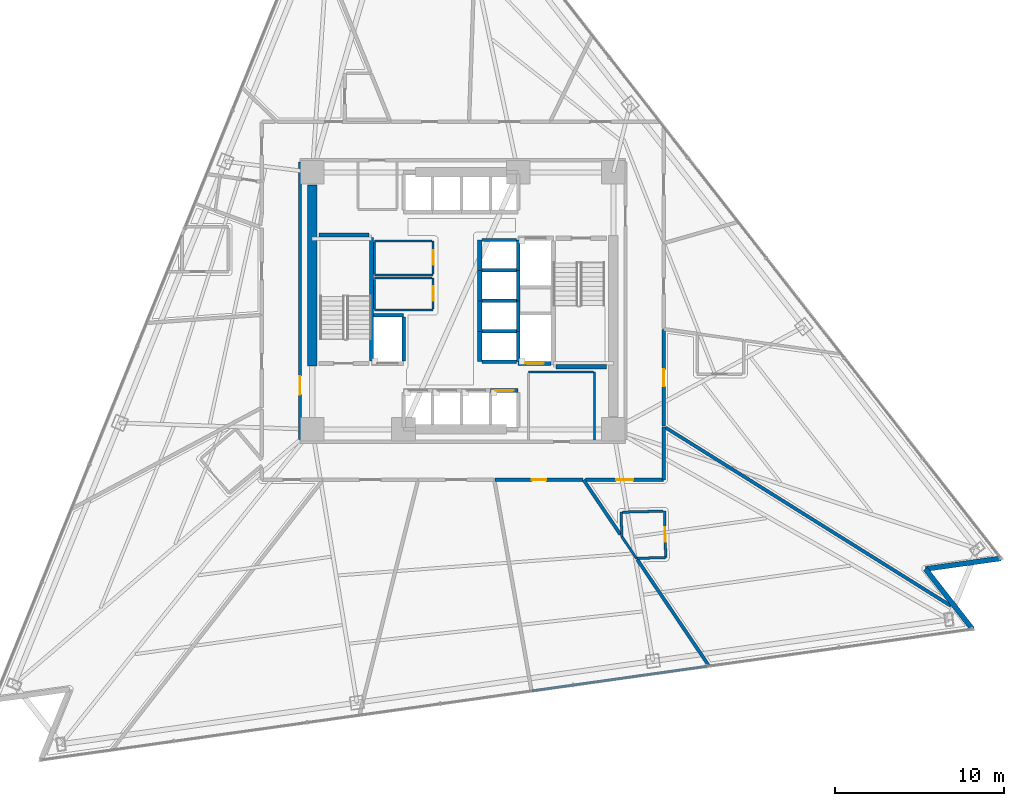
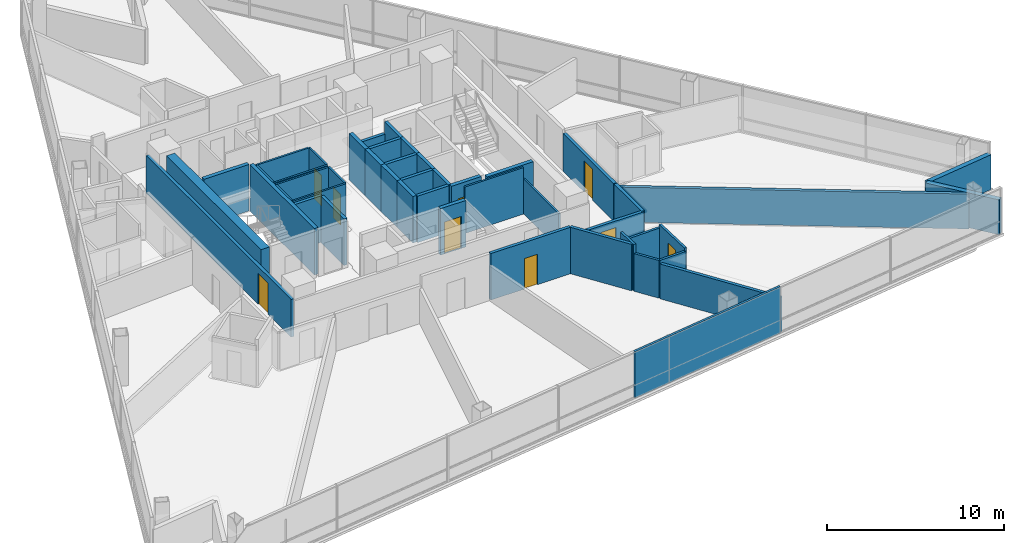
# One storey, part 8 of 15: 47 walls, 9 doors, 9 openings.
"""IFC4 building model written with IfcOpenShell, lengths in metres."""

import ifcopenshell
import ifcopenshell.guid

model = None  # the IFC model being written
_history = None  # IfcOwnerHistory: only IFC2X3 demands one
_inside = {}  # id of a spatial element -> (the spatial element, [elements in it])
_under = {}  # id of a project, library or spatial element -> (it, [spatial elements below it])
_declared = {}  # id of a project -> (the project, [libraries it declares])
_typed = {}  # id of a type object -> (the type object, [elements of that type])
_made_of = {}  # id of a material, layer set ... -> (it, [elements and type objects made of it])


def new_model(schema):
    """Start an empty IFC model of exactly this schema.

    Asked for "IFC4X3", IfcOpenShell would pick the latest addendum, in which some entities
    have other attributes; the version numbers below select the first issue.
    IFC2X3 requires an IfcOwnerHistory on every rooted entity: one is made here for all.
    """
    global model, _history
    if schema == "IFC4X3":
        model = ifcopenshell.file(schema_version=(4, 3, 0, 0))
    else:
        model = ifcopenshell.file(schema=schema)
    _inside.clear()
    _under.clear()
    _declared.clear()
    _typed.clear()
    _made_of.clear()
    _history = None
    if model.schema == "IFC2X3":
        org = make("IfcOrganization", Name="unknown")
        user = make(
            "IfcPersonAndOrganization",
            ThePerson=make("IfcPerson", FamilyName="unknown"),
            TheOrganization=org,
        )
        app = make(
            "IfcApplication",
            ApplicationDeveloper=org,
            Version="unknown",
            ApplicationFullName="unknown",
            ApplicationIdentifier="unknown",
        )
        _history = make(
            "IfcOwnerHistory",
            OwningUser=user,
            OwningApplication=app,
            ChangeAction="ADDED",
            CreationDate=0,
        )
    return model


def make(cls, **values):
    """One entity of the class cls with the attributes given. An attribute that is None is left unset."""
    return model.create_entity(
        cls, **{name: value for name, value in values.items() if value is not None}
    )


def rooted(cls, **values):
    """An entity with a GlobalId (a new one), such as an element, a storey or a relation."""
    return make(cls, GlobalId=ifcopenshell.guid.new(), OwnerHistory=_history, **values)


def si_unit(unit_type, name, prefix=None):
    """IfcSIUnit, for example si_unit("LENGTHUNIT", "METRE", prefix="MILLI")."""
    return make("IfcSIUnit", UnitType=unit_type, Prefix=prefix, Name=name)


def assignment(units):
    """IfcUnitAssignment: the units of a project."""
    return None if units is None else make("IfcUnitAssignment", Units=units)


def point(xyz):
    """IfcCartesianPoint."""
    return None if xyz is None else make("IfcCartesianPoint", Coordinates=xyz)


def direction(xyz):
    """IfcDirection."""
    return None if xyz is None else make("IfcDirection", DirectionRatios=xyz)


def frame(location, z_axis=None, x_axis=None):
    """IfcAxis2Placement3D, a coordinate frame: its origin and axes. An axis left out is left unset."""
    return make(
        "IfcAxis2Placement3D",
        Location=point(location),
        Axis=direction(z_axis),
        RefDirection=direction(x_axis),
    )


def frame_2d(location, x_axis=None):
    """IfcAxis2Placement2D, a coordinate frame in the plane: its origin and x axis."""
    return make(
        "IfcAxis2Placement2D", Location=point(location), RefDirection=direction(x_axis)
    )


def origin():
    """The frame at (0, 0, 0) with its axes left unset."""
    return frame((0.0, 0.0, 0.0))


def place(relative_to, where):
    """IfcLocalPlacement: puts the frame where relative to a parent placement (None: the world)."""
    return make(
        "IfcLocalPlacement", PlacementRelTo=relative_to, RelativePlacement=where
    )


def context(
    kind, dimensions, precision=None, world=None, true_north=None, identifier=None
):
    """IfcGeometricRepresentationContext, for example the 3D "Model" context."""
    return make(
        "IfcGeometricRepresentationContext",
        ContextIdentifier=identifier,
        ContextType=kind,
        CoordinateSpaceDimension=dimensions,
        Precision=precision,
        WorldCoordinateSystem=world,
        TrueNorth=true_north,
    )


def subcontext(parent, identifier, kind, view, scale=None):
    """IfcGeometricRepresentationSubContext, for example "Body" below "Model"."""
    return make(
        "IfcGeometricRepresentationSubContext",
        ContextIdentifier=identifier,
        ContextType=kind,
        ParentContext=parent,
        TargetScale=scale,
        TargetView=view,
    )


def project(units=None, contexts=None):
    """IfcProject with its units and contexts."""
    return rooted(
        "IfcProject",
        Name="project",
        RepresentationContexts=contexts,
        UnitsInContext=assignment(units),
    )


def spatial(cls, under=None, at=None, **own):
    """A site, building, storey or space (cls), placed at a placement, below another one or the project."""
    s = rooted(cls, ObjectPlacement=at, **own)
    if under is not None:
        _under.setdefault(under.id(), (under, []))[1].append(s)
    return s


def profile(cls, at=None, kind="AREA", **sizes):
    """A parametric profile (cls). Its sizes go by their IFC names, for example OverallWidth=200.0."""
    return make(cls, ProfileType=kind, Position=at, **sizes)


def rectangle(**sizes):
    """IfcRectangleProfileDef."""
    return profile("IfcRectangleProfileDef", **sizes)


def extrude(swept, where, along, depth):
    """IfcExtrudedAreaSolid: the profile swept, set in the frame where, extruded along a direction by depth."""
    return make(
        "IfcExtrudedAreaSolid",
        SweptArea=swept,
        Position=where,
        ExtrudedDirection=direction(along),
        Depth=depth,
    )


def shape(context_of_items, identifier, shape_type, items):
    """IfcShapeRepresentation: the items that make up one representation, for example the "Body"."""
    return make(
        "IfcShapeRepresentation",
        ContextOfItems=context_of_items,
        RepresentationIdentifier=identifier,
        RepresentationType=shape_type,
        Items=items,
    )


def material(Name=None, Category=None):
    """IfcMaterial."""
    return make("IfcMaterial", Name=Name, Category=Category)


def layer(
    of_material, thickness, ventilated=None, Name=None, Category=None, Priority=None
):
    """IfcMaterialLayer: one layer of a wall or slab, of a material (None: an air gap)."""
    return make(
        "IfcMaterialLayer",
        Material=of_material,
        LayerThickness=thickness,
        IsVentilated=ventilated,
        Name=Name,
        Category=Category,
        Priority=Priority,
    )


def layer_set(layers, Name=None):
    """IfcMaterialLayerSet."""
    return make("IfcMaterialLayerSet", MaterialLayers=layers, LayerSetName=Name)


def made_of(thing, what):
    """Note that an element or type object is made of a material, layer set ...; save() writes the relation."""
    if what is not None:
        _made_of.setdefault(what.id(), (what, []))[1].append(thing)
    return thing


def type_object(cls, material=None, **own):
    """A type object (cls), such as IfcWallType, which elements share."""
    return made_of(rooted(cls, **own), material)


def element(
    cls,
    number,
    at=None,
    inside=None,
    cuts=None,
    type_object=None,
    material=None,
    context=None,
    identifier="Body",
    shape_type=None,
    held_by="IfcProductDefinitionShape",
    body=None,
    shapes=None,
    **own,
):
    """One element of the class cls, such as IfcWall. Its Tag is "e" and its number.

    at: its placement. inside: the storey or other place that contains it. cuts: it is an
    opening in that element (IfcRelVoidsElement). A single representation is given by context,
    identifier, shape_type and body (its items); several are given by shapes. held_by: the class
    of the entity that holds the representations. save() writes the other relations.
    """
    e = rooted(cls, Tag="e%d" % number, ObjectPlacement=at, **own)
    if body is not None:
        shapes = [shape(context, identifier, shape_type, body)]
    if shapes is not None:
        e.Representation = make(held_by, Representations=shapes)
    if inside is not None:
        _inside.setdefault(inside.id(), (inside, []))[1].append(e)
    if cuts is not None:
        rooted(
            "IfcRelVoidsElement", RelatingBuildingElement=cuts, RelatedOpeningElement=e
        )
    if type_object is not None:
        _typed.setdefault(type_object.id(), (type_object, []))[1].append(e)
    return made_of(e, material)


def fill(opening, filler):
    """IfcRelFillsElement: the door or window that sits in an opening."""
    return rooted(
        "IfcRelFillsElement",
        RelatingOpeningElement=opening,
        RelatedBuildingElement=filler,
    )


def aggregate(whole, parts):
    """IfcRelAggregates: a whole, such as a stair, and the parts it consists of."""
    return rooted("IfcRelAggregates", RelatingObject=whole, RelatedObjects=parts)


def save(model, path):
    """Write the relations noted so far, then the file.

    IfcRelAggregates (storeys below a building ...), IfcRelContainedInSpatialStructure (elements
    in a storey), IfcRelDefinesByType, IfcRelAssociatesMaterial and IfcRelDeclares: one each for
    every whole, place, type object, material and project.
    """
    for whole, parts in _under.values():
        aggregate(whole, parts)
    for where, things in _inside.values():
        rooted(
            "IfcRelContainedInSpatialStructure",
            RelatedElements=things,
            RelatingStructure=where,
        )
    for kind, things in _typed.values():
        rooted("IfcRelDefinesByType", RelatedObjects=things, RelatingType=kind)
    for what, things in _made_of.values():
        rooted("IfcRelAssociatesMaterial", RelatedObjects=things, RelatingMaterial=what)
    for by, libraries in _declared.values():
        rooted("IfcRelDeclares", RelatingContext=by, RelatedDefinitions=libraries)
    model.write(path)


model = new_model("IFC4")

# Units and contexts
model_context = context("Model", 3, precision=1e-05, world=origin(), true_north=direction((0.0, 1.0)))
body_context = subcontext(model_context, "Body", "Model", "MODEL_VIEW")
ifc_project = project(units=[si_unit("LENGTHUNIT", "METRE"), si_unit("AREAUNIT", "SQUARE_METRE"), si_unit("VOLUMEUNIT", "CUBIC_METRE"), si_unit("PLANEANGLEUNIT", "RADIAN"), si_unit("MASSUNIT", "GRAM", prefix="KILO")], contexts=[model_context])

# Site, building, storey
site_placement = place(None, origin())
site = spatial("IfcSite", under=ifc_project, at=site_placement, CompositionType="ELEMENT")
building_placement = place(site_placement, origin())
building = spatial("IfcBuilding", under=site, at=building_placement, Name="Tharavind Bronze Gate", CompositionType="ELEMENT")
storey_placement = place(building_placement, frame((0.0, 0.0, 77.64990234375)))
storey = spatial("IfcBuildingStorey", under=building, at=storey_placement, Name="L19", CompositionType="ELEMENT", Elevation=77.64990234375)

# Walls
ifc_material_1 = material(Name="Concrete C40/50", Category="concrete")
ifc_layer_1 = layer(ifc_material_1, 0.300048828125)
ifc_layer_set_1 = layer_set([ifc_layer_1], Name="Concrete C40/50")
wall_type_1 = type_object("IfcWallType", Name="EXTERIOR SPANDREL WALL 300", PredefinedType="STANDARD", material=ifc_layer_set_1)
wall_1_placement = place(storey_placement, frame((30.127685546875, -19.399169921875, 0.0), z_axis=(0.0, 0.0, 1.0), x_axis=(-0.615621932091, 0.78804164657, 0.0)))
element("IfcWall", 1, at=wall_1_placement, inside=storey, type_object=wall_type_1, Name="L19 notch cheek wall 3A", PredefinedType="STANDARD", context=body_context, shape_type="SweptSolid", body=[
    extrude(rectangle(XDim=4.5, YDim=0.300048828125, at=frame_2d((2.25, 0.0))), origin(), (0.0, 0.0, 1.0), 2.405029296875),
])
wall_2_placement = place(storey_placement, frame((27.357421875, -15.85302734375, 0.0), z_axis=(0.0, 0.0, 1.0), x_axis=(0.990269200152, 0.139165050317, 0.0)))
element("IfcWall", 2, at=wall_2_placement, inside=storey, type_object=wall_type_1, Name="L19 notch cheek wall 3B", PredefinedType="STANDARD", context=body_context, shape_type="SweptSolid", body=[
    extrude(rectangle(XDim=4.499755859375, YDim=0.300048828125, at=frame_2d((2.25, 0.0))), origin(), (0.0, 0.0, 1.0), 2.405029296875),
])

# Wall, opening, door
ifc_material_2 = material(Name="Aerated Concrete Block", Category="concrete")
ifc_layer_2 = layer(ifc_material_2, 0.199951171875)
ifc_layer_set_2 = layer_set([ifc_layer_2], Name="Aerated Concrete Block")
wall_type_2 = type_object("IfcWallType", Name="FIRE RATED PARTITION 200", PredefinedType="PARTITIONING", material=ifc_layer_set_2)
wall_3_placement = place(storey_placement, frame((-9.6201171875, 8.199951171875, 0.0), z_axis=(0.0, 0.0, 1.0), x_axis=(0.0, -1.0, 0.0)))
wall_3 = element("IfcWall", 3, at=wall_3_placement, inside=storey, type_object=wall_type_2, Name="L19 west core corridor wall", PredefinedType="PARTITIONING", context=body_context, shape_type="SweptSolid", body=[
    extrude(rectangle(XDim=16.39990234375, YDim=0.199951171875, at=frame_2d((8.199951171875, 0.0))), origin(), (0.0, 0.0, 1.0), 2.60498046875),
])
opening_1_placement = place(wall_3_placement, frame((12.64990234375, 0.0, 0.0)))
opening_1 = element("IfcOpeningElement", 4, at=opening_1_placement, cuts=wall_3, Name="Opening ID01", PredefinedType="OPENING", context=body_context, shape_type="SweptSolid", body=[
    extrude(rectangle(XDim=1.10009765625, YDim=2.14990234375, at=frame_2d((0.550048828125, 1.074951171875))), frame((0.0, 0.11009765625, 0.0), z_axis=(0.0, -1.0, 0.0), x_axis=(1.0, 0.0, 0.0)), (0.0, 0.0, 1.0), 0.219951171875),
])
ifc_material_3 = material(Name="Fire-Rated Steel", Category="steel")
door_type_1 = type_object("IfcDoorType", Name="STAIR CORE FIRE DOOR 1100X2150", OperationType="SINGLE_SWING_LEFT", PredefinedType="DOOR", material=ifc_material_3)
door_1_placement = place(opening_1_placement, frame((1.10009765625, 0.0, 0.0), z_axis=(0.0, 0.0, 1.0), x_axis=(-1.0, 0.0, 0.0)))
door_1 = element("IfcDoor", 5, at=door_1_placement, inside=storey, type_object=door_type_1, Name="L19 south west stair lobby fire door", OperationType="SINGLE_SWING_LEFT", OverallHeight=2.14990234375, OverallWidth=1.10009765625, PredefinedType="DOOR", context=body_context, shape_type="SweptSolid", body=[
    extrude(rectangle(XDim=1.10009765625, YDim=2.14990234375, at=frame_2d((0.550048828125, 1.074951171875))), frame((0.0, 0.02490234375, 0.0), z_axis=(0.0, -1.0, 0.0), x_axis=(1.0, 0.0, 0.0)), (0.0, 0.0, 1.0), 0.050048828125),
])
fill(opening_1, door_1)

wall_4_placement = place(storey_placement, frame((1.895263671875, -10.580078125, 0.0), z_axis=(0.0, 0.0, 1.0), x_axis=(1.0, 0.0, 0.0)))
wall_4 = element("IfcWall", 6, at=wall_4_placement, inside=storey, type_object=wall_type_2, Name="L19 Public Restrooms Block partition", PredefinedType="PARTITIONING", context=body_context, shape_type="SweptSolid", body=[
    extrude(rectangle(XDim=5.227783203125, YDim=0.199951171875, at=frame_2d((2.61376953125, 0.0))), origin(), (0.0, 0.0, 1.0), 3.210205078125),
])
opening_2_placement = place(wall_4_placement, frame((2.18896484375, 0.0, 0.0)))
opening_2 = element("IfcOpeningElement", 7, at=opening_2_placement, cuts=wall_4, Name="Opening ID06", PredefinedType="OPENING", context=body_context, shape_type="SweptSolid", body=[
    extrude(rectangle(XDim=0.85009765625, YDim=2.10009765625, at=frame_2d((0.425048828125, 1.050048828125))), frame((0.0, 0.11009765625, 0.0), z_axis=(0.0, -1.0, 0.0), x_axis=(1.0, 0.0, 0.0)), (0.0, 0.0, 1.0), 0.219951171875),
])
ifc_material_4 = material(Name="Moisture-Resistant Timber", Category="wood")
door_type_2 = type_object("IfcDoorType", Name="BATHROOM PRIVACY DOOR 850X2100", OperationType="SINGLE_SWING_RIGHT", PredefinedType="DOOR", material=ifc_material_4)
door_2_placement = place(opening_2_placement, origin())
door_2 = element("IfcDoor", 8, at=door_2_placement, inside=storey, type_object=door_type_2, Name="L19 Public Restrooms Block door", OperationType="SINGLE_SWING_RIGHT", OverallHeight=2.10009765625, OverallWidth=0.85009765625, PredefinedType="DOOR", context=body_context, shape_type="SweptSolid", body=[
    extrude(rectangle(XDim=0.85009765625, YDim=2.10009765625, at=frame_2d((0.425048828125, 1.050048828125))), frame((0.0, 0.02490234375, 0.0), z_axis=(0.0, -1.0, 0.0), x_axis=(1.0, 0.0, 0.0)), (0.0, 0.0, 1.0), 0.050048828125),
])
fill(opening_2, door_2)

# Walls
wall_5_placement = place(storey_placement, frame((7.143798828125, -10.591064453125, 0.0), z_axis=(0.0, 0.0, 1.0), x_axis=(0.559171794076, -0.829051810631, 0.0)))
element("IfcWall", 9, at=wall_5_placement, inside=storey, type_object=wall_type_2, Name="L19 Public Restrooms Block partition", PredefinedType="PARTITIONING", context=body_context, shape_type="SweptSolid", body=[
    extrude(rectangle(XDim=3.88623046875, YDim=0.199951171875, at=frame_2d((1.943115234375, 0.0))), origin(), (0.0, 0.0, 1.0), 3.210205078125),
])
wall_6_placement = place(storey_placement, frame((10.321044921875, -15.3017578125, 0.0), z_axis=(0.0, 0.0, 1.0), x_axis=(0.559202924042, -0.829030813506, 0.0)))
element("IfcWall", 10, at=wall_6_placement, inside=storey, type_object=wall_type_2, Name="L19 Public Restrooms Block partition", PredefinedType="PARTITIONING", context=body_context, shape_type="SweptSolid", body=[
    extrude(rectangle(XDim=7.581298828125, YDim=0.199951171875, at=frame_2d((3.79052734375, 0.0))), origin(), (0.0, 0.0, 1.0), 2.405029296875),
])
wall_7_placement = place(storey_placement, frame((11.8798828125, -10.579345703125, 0.0), z_axis=(0.0, 0.0, 1.0), x_axis=(0.0, 1.0, 0.0)))
element("IfcWall", 11, at=wall_7_placement, inside=storey, type_object=wall_type_2, Name="L19 Deluxe Hotel Suite partition", PredefinedType="PARTITIONING", context=body_context, shape_type="SweptSolid", body=[
    extrude(rectangle(XDim=3.11083984375, YDim=0.199951171875, at=frame_2d((1.555419921875, 0.0))), origin(), (0.0, 0.0, 1.0), 2.60498046875),
])
wall_8_placement = place(storey_placement, frame((11.985107421875, -7.489013671875, 0.0), z_axis=(0.0, 0.0, 1.0), x_axis=(0.848049281921, -0.529917366608, 0.0)))
element("IfcWall", 12, at=wall_8_placement, inside=storey, type_object=wall_type_2, Name="L19 Deluxe Hotel Suite partition", PredefinedType="PARTITIONING", context=body_context, shape_type="SweptSolid", body=[
    extrude(rectangle(XDim=19.908447265625, YDim=0.199951171875, at=frame_2d((9.9541015625, 0.0))), origin(), (0.0, 0.0, 1.0), 2.405029296875),
])

# Wall, opening, door
wall_9_placement = place(storey_placement, frame((7.262939453125, -10.580078125, 0.0), z_axis=(0.0, 0.0, 1.0), x_axis=(1.0, 0.0, 0.0)))
wall_9 = element("IfcWall", 13, at=wall_9_placement, inside=storey, type_object=wall_type_2, Name="L19 Deluxe Hotel Suite partition", PredefinedType="PARTITIONING", context=body_context, shape_type="SweptSolid", body=[
    extrude(rectangle(XDim=4.616455078125, YDim=0.199951171875, at=frame_2d((2.30810546875, 0.0))), origin(), (0.0, 0.0, 1.0), 2.60498046875),
])
opening_3_placement = place(wall_9_placement, frame((1.80810546875, 0.0, 0.0)))
opening_3 = element("IfcOpeningElement", 14, at=opening_3_placement, cuts=wall_9, Name="Opening ID03", PredefinedType="OPENING", context=body_context, shape_type="SweptSolid", body=[
    extrude(rectangle(XDim=1.0, YDim=2.14990234375, at=frame_2d((0.5, 1.074951171875))), frame((0.0, 0.11009765625, 0.0), z_axis=(0.0, -1.0, 0.0), x_axis=(1.0, 0.0, 0.0)), (0.0, 0.0, 1.0), 0.219951171875),
])
ifc_material_5 = material(Name="Solid Timber Veneer", Category="wood")
door_type_3 = type_object("IfcDoorType", Name="HOTEL SUITE ENTRANCE DOOR 1000X2150", OperationType="SINGLE_SWING_LEFT", PredefinedType="DOOR", material=ifc_material_5)
door_3_placement = place(opening_3_placement, origin())
door_3 = element("IfcDoor", 15, at=door_3_placement, inside=storey, type_object=door_type_3, Name="L19 Deluxe Hotel Suite door", OperationType="SINGLE_SWING_LEFT", OverallHeight=2.14990234375, OverallWidth=1.0, PredefinedType="DOOR", context=body_context, shape_type="SweptSolid", body=[
    extrude(rectangle(XDim=1.0, YDim=2.14990234375, at=frame_2d((0.5, 1.074951171875))), frame((0.0, 0.02490234375, 0.0), z_axis=(0.0, -1.0, 0.0), x_axis=(1.0, 0.0, 0.0)), (0.0, 0.0, 1.0), 0.050048828125),
])
fill(opening_3, door_3)

wall_10_placement = place(storey_placement, frame((11.8798828125, -7.40966796875, 0.0), z_axis=(0.0, 0.0, 1.0), x_axis=(0.0, 1.0, 0.0)))
wall_10 = element("IfcWall", 16, at=wall_10_placement, inside=storey, type_object=wall_type_2, Name="L19 Deluxe Hotel Suite partition", PredefinedType="PARTITIONING", context=body_context, shape_type="SweptSolid", body=[
    extrude(rectangle(XDim=5.711181640625, YDim=0.199951171875, at=frame_2d((2.85546875, 0.0))), origin(), (0.0, 0.0, 1.0), 2.60498046875),
])
opening_4_placement = place(wall_10_placement, frame((2.35595703125, 0.0, 0.0)))
opening_4 = element("IfcOpeningElement", 17, at=opening_4_placement, cuts=wall_10, Name="Opening ID03", PredefinedType="OPENING", context=body_context, shape_type="SweptSolid", body=[
    extrude(rectangle(XDim=1.0, YDim=2.14990234375, at=frame_2d((0.5, 1.074951171875))), frame((0.0, 0.11009765625, 0.0), z_axis=(0.0, -1.0, 0.0), x_axis=(1.0, 0.0, 0.0)), (0.0, 0.0, 1.0), 0.219951171875),
])
door_4_placement = place(opening_4_placement, origin())
door_4 = element("IfcDoor", 18, at=door_4_placement, inside=storey, type_object=door_type_3, Name="L19 Deluxe Hotel Suite door", OperationType="SINGLE_SWING_LEFT", OverallHeight=2.14990234375, OverallWidth=1.0, PredefinedType="DOOR", context=body_context, shape_type="SweptSolid", body=[
    extrude(rectangle(XDim=1.0, YDim=2.14990234375, at=frame_2d((0.5, 1.074951171875))), frame((0.0, 0.02490234375, 0.0), z_axis=(0.0, -1.0, 0.0), x_axis=(1.0, 0.0, 0.0)), (0.0, 0.0, 1.0), 0.050048828125),
])
fill(opening_4, door_4)

# Wall
ifc_material_6 = material(Name="Metal Stud Gypsum Partition", Category="gypsum")
ifc_layer_3 = layer(ifc_material_6, 0.1201171875)
ifc_layer_set_3 = layer_set([ifc_layer_3], Name="Metal Stud Gypsum Partition")
wall_type_3 = type_object("IfcWallType", Name="INTERIOR PARTITION WALL 120", PredefinedType="PARTITIONING", material=ifc_layer_set_3)
wall_11_placement = place(storey_placement, frame((-5.219970703125, 1.52001953125, 0.0), z_axis=(0.0, 0.0, 1.0), x_axis=(1.0, 0.0, 0.0)))
element("IfcWall", 19, at=wall_11_placement, inside=storey, type_object=wall_type_3, Name="L19 Cleaner Store Room partition 1", PredefinedType="PARTITIONING", context=body_context, shape_type="SweptSolid", body=[
    extrude(rectangle(XDim=3.469970703125, YDim=0.1201171875, at=frame_2d((1.73486328125, 0.0))), origin(), (0.0, 0.0, 1.0), 3.210205078125),
])

# Wall, opening, door
wall_12_placement = place(storey_placement, frame((-1.75, 1.5849609375, 0.0), z_axis=(0.0, 0.0, 1.0), x_axis=(0.0, 1.0, 0.0)))
wall_12 = element("IfcWall", 20, at=wall_12_placement, inside=storey, type_object=wall_type_3, Name="L19 Cleaner Store Room partition 2", PredefinedType="PARTITIONING", context=body_context, shape_type="SweptSolid", body=[
    extrude(rectangle(XDim=1.965087890625, YDim=0.1201171875, at=frame_2d((0.982421875, 0.0))), origin(), (0.0, 0.0, 1.0), 3.210205078125),
])
opening_5_placement = place(wall_12_placement, frame((0.556884765625, 0.0, 0.0)))
opening_5 = element("IfcOpeningElement", 21, at=opening_5_placement, cuts=wall_12, Name="Opening ID06", PredefinedType="OPENING", context=body_context, shape_type="SweptSolid", body=[
    extrude(rectangle(XDim=0.85009765625, YDim=2.10009765625, at=frame_2d((0.425048828125, 1.050048828125))), frame((0.0, 0.07005859375, 0.0), z_axis=(0.0, -1.0, 0.0), x_axis=(1.0, 0.0, 0.0)), (0.0, 0.0, 1.0), 0.1401171875),
])
door_5_placement = place(opening_5_placement, frame((0.85009765625, 0.0, 0.0), z_axis=(0.0, 0.0, 1.0), x_axis=(-1.0, 0.0, 0.0)))
door_5 = element("IfcDoor", 22, at=door_5_placement, inside=storey, type_object=door_type_2, Name="L19 Cleaner Store Room door", OperationType="SINGLE_SWING_RIGHT", OverallHeight=2.10009765625, OverallWidth=0.85009765625, PredefinedType="DOOR", context=body_context, shape_type="SweptSolid", body=[
    extrude(rectangle(XDim=0.85009765625, YDim=2.10009765625, at=frame_2d((0.425048828125, 1.050048828125))), frame((0.0, 0.02490234375, 0.0), z_axis=(0.0, -1.0, 0.0), x_axis=(1.0, 0.0, 0.0)), (0.0, 0.0, 1.0), 0.050048828125),
])
fill(opening_5, door_5)

# Walls
wall_13_placement = place(storey_placement, frame((-1.81494140625, 3.550048828125, 0.0), z_axis=(0.0, 0.0, 1.0), x_axis=(-1.0, 0.0, 0.0)))
element("IfcWall", 23, at=wall_13_placement, inside=storey, type_object=wall_type_3, Name="L19 Cleaner Store Room partition 3", PredefinedType="PARTITIONING", context=body_context, shape_type="SweptSolid", body=[
    extrude(rectangle(XDim=3.405029296875, YDim=0.1201171875, at=frame_2d((1.70263671875, 0.0))), origin(), (0.0, 0.0, 1.0), 3.210205078125),
])
wall_14_placement = place(storey_placement, frame((-5.219970703125, 3.485107421875, 0.0), z_axis=(0.0, 0.0, 1.0), x_axis=(0.0, -1.0, 0.0)))
element("IfcWall", 24, at=wall_14_placement, inside=storey, type_object=wall_type_3, Name="L19 Cleaner Store Room partition 4", PredefinedType="PARTITIONING", context=body_context, shape_type="SweptSolid", body=[
    extrude(rectangle(XDim=1.900146484375, YDim=0.1201171875, at=frame_2d((0.9501953125, 0.0))), origin(), (0.0, 0.0, 1.0), 3.210205078125),
])
wall_15_placement = place(storey_placement, frame((-5.219970703125, -0.550048828125, 0.0), z_axis=(0.0, 0.0, 1.0), x_axis=(1.0, 0.0, 0.0)))
element("IfcWall", 25, at=wall_15_placement, inside=storey, type_object=wall_type_3, Name="L19 Electrical Switch Room partition 1", PredefinedType="PARTITIONING", context=body_context, shape_type="SweptSolid", body=[
    extrude(rectangle(XDim=3.469970703125, YDim=0.1201171875, at=frame_2d((1.73486328125, 0.0))), origin(), (0.0, 0.0, 1.0), 3.210205078125),
])

# Wall, opening, door
wall_16_placement = place(storey_placement, frame((-1.75, -0.485107421875, 0.0), z_axis=(0.0, 0.0, 1.0), x_axis=(0.0, 1.0, 0.0)))
wall_16 = element("IfcWall", 26, at=wall_16_placement, inside=storey, type_object=wall_type_3, Name="L19 Electrical Switch Room partition 2", PredefinedType="PARTITIONING", context=body_context, shape_type="SweptSolid", body=[
    extrude(rectangle(XDim=1.8251953125, YDim=0.1201171875, at=frame_2d((0.91259765625, 0.0))), origin(), (0.0, 0.0, 1.0), 3.210205078125),
])
opening_6_placement = place(wall_16_placement, frame((0.488037109375, 0.0, 0.0)))
opening_6 = element("IfcOpeningElement", 27, at=opening_6_placement, cuts=wall_16, Name="Opening ID06", PredefinedType="OPENING", context=body_context, shape_type="SweptSolid", body=[
    extrude(rectangle(XDim=0.85009765625, YDim=2.10009765625, at=frame_2d((0.425048828125, 1.050048828125))), frame((0.0, 0.07005859375, 0.0), z_axis=(0.0, -1.0, 0.0), x_axis=(1.0, 0.0, 0.0)), (0.0, 0.0, 1.0), 0.1401171875),
])
door_6_placement = place(opening_6_placement, frame((0.85009765625, 0.0, 0.0), z_axis=(0.0, 0.0, 1.0), x_axis=(-1.0, 0.0, 0.0)))
door_6 = element("IfcDoor", 28, at=door_6_placement, inside=storey, type_object=door_type_2, Name="L19 Electrical Switch Room door", OperationType="SINGLE_SWING_RIGHT", OverallHeight=2.10009765625, OverallWidth=0.85009765625, PredefinedType="DOOR", context=body_context, shape_type="SweptSolid", body=[
    extrude(rectangle(XDim=0.85009765625, YDim=2.10009765625, at=frame_2d((0.425048828125, 1.050048828125))), frame((0.0, 0.02490234375, 0.0), z_axis=(0.0, -1.0, 0.0), x_axis=(1.0, 0.0, 0.0)), (0.0, 0.0, 1.0), 0.050048828125),
])
fill(opening_6, door_6)

# Walls
wall_17_placement = place(storey_placement, frame((-1.81494140625, 1.340087890625, 0.0), z_axis=(0.0, 0.0, 1.0), x_axis=(-1.0, 0.0, 0.0)))
element("IfcWall", 29, at=wall_17_placement, inside=storey, type_object=wall_type_3, Name="L19 Electrical Switch Room partition 3", PredefinedType="PARTITIONING", context=body_context, shape_type="SweptSolid", body=[
    extrude(rectangle(XDim=3.405029296875, YDim=0.1201171875, at=frame_2d((1.70263671875, 0.0))), origin(), (0.0, 0.0, 1.0), 3.210205078125),
])
wall_18_placement = place(storey_placement, frame((-5.219970703125, 1.27490234375, 0.0), z_axis=(0.0, 0.0, 1.0), x_axis=(0.0, -1.0, 0.0)))
element("IfcWall", 30, at=wall_18_placement, inside=storey, type_object=wall_type_3, Name="L19 Electrical Switch Room partition 4", PredefinedType="PARTITIONING", context=body_context, shape_type="SweptSolid", body=[
    extrude(rectangle(XDim=1.760009765625, YDim=0.1201171875, at=frame_2d((0.8798828125, 0.0))), origin(), (0.0, 0.0, 1.0), 3.210205078125),
])
wall_19_placement = place(storey_placement, frame((7.800048828125, -8.215087890625, 0.0), z_axis=(0.0, 0.0, 1.0), x_axis=(0.0, 1.0, 0.0)))
element("IfcWall", 31, at=wall_19_placement, inside=storey, type_object=wall_type_3, Name="L19 Telecom Metering Room partition 2", PredefinedType="PARTITIONING", context=body_context, shape_type="SweptSolid", body=[
    extrude(rectangle(XDim=4.01513671875, YDim=0.1201171875, at=frame_2d((2.007568359375, 0.0))), origin(), (0.0, 0.0, 1.0), 2.405029296875),
])
wall_20_placement = place(storey_placement, frame((7.735107421875, -4.199951171875, 0.0), z_axis=(0.0, 0.0, 1.0), x_axis=(-1.0, 0.0, 0.0)))
element("IfcWall", 32, at=wall_20_placement, inside=storey, type_object=wall_type_3, Name="L19 Telecom Metering Room partition 3", PredefinedType="PARTITIONING", context=body_context, shape_type="SweptSolid", body=[
    extrude(rectangle(XDim=3.835205078125, YDim=0.1201171875, at=frame_2d((1.91748046875, 0.0))), origin(), (0.0, 0.0, 1.0), 3.210205078125),
])

# Wall, opening, door
ifc_material_7 = material(Name="Twin Stud Acoustic Gypsum", Category="gypsum")
ifc_layer_4 = layer(ifc_material_7, 0.14990234375)
ifc_layer_set_4 = layer_set([ifc_layer_4], Name="Twin Stud Acoustic Gypsum")
wall_type_4 = type_object("IfcWallType", Name="INTERIOR PARTITION WALL 150", PredefinedType="PARTITIONING", material=ifc_layer_set_4)
wall_21_placement = place(storey_placement, frame((11.927490234375, -12.429443359375, 0.0), z_axis=(0.0, 0.0, 1.0), x_axis=(0.025746347005, -0.999668507864, 0.0)))
wall_21 = element("IfcWall", 33, at=wall_21_placement, inside=storey, type_object=wall_type_4, Name="L19 En-Suite Bathroom partition", PredefinedType="PARTITIONING", context=body_context, shape_type="SweptSolid", body=[
    extrude(rectangle(XDim=2.75, YDim=0.14990234375, at=frame_2d((1.375, 0.0))), origin(), (0.0, 0.0, 1.0), 2.80517578125),
])
opening_7_placement = place(wall_21_placement, frame((0.949951171875, 0.0, 0.0)))
opening_7 = element("IfcOpeningElement", 34, at=opening_7_placement, cuts=wall_21, Name="Opening ID06", PredefinedType="OPENING", context=body_context, shape_type="SweptSolid", body=[
    extrude(rectangle(XDim=0.85009765625, YDim=2.10009765625, at=frame_2d((0.425048828125, 1.050048828125))), frame((0.0, 0.084951171875, 0.0), z_axis=(0.0, -1.0, 0.0), x_axis=(1.0, 0.0, 0.0)), (0.0, 0.0, 1.0), 0.16990234375),
])
door_7_placement = place(opening_7_placement, origin())
door_7 = element("IfcDoor", 35, at=door_7_placement, inside=storey, type_object=door_type_2, Name="L19 En-Suite Bathroom door", OperationType="SINGLE_SWING_RIGHT", OverallHeight=2.10009765625, OverallWidth=0.85009765625, PredefinedType="DOOR", context=body_context, shape_type="SweptSolid", body=[
    extrude(rectangle(XDim=0.85009765625, YDim=2.10009765625, at=frame_2d((0.425048828125, 1.050048828125))), frame((0.0, 0.02490234375, 0.0), z_axis=(0.0, -1.0, 0.0), x_axis=(1.0, 0.0, 0.0)), (0.0, 0.0, 1.0), 0.050048828125),
])
fill(opening_7, door_7)

# Walls
wall_22_placement = place(storey_placement, frame((11.998291015625, -15.178466796875, 0.0), z_axis=(0.0, 0.0, 1.0), x_axis=(-0.999670410654, -0.025672359918, 0.0)))
element("IfcWall", 36, at=wall_22_placement, inside=storey, type_object=wall_type_4, Name="L19 En-Suite Bathroom partition", PredefinedType="PARTITIONING", context=body_context, shape_type="SweptSolid", body=[
    extrude(rectangle(XDim=1.730712890625, YDim=0.14990234375, at=frame_2d((0.865234375, 0.0))), origin(), (0.0, 0.0, 1.0), 2.60498046875),
])
wall_23_placement = place(storey_placement, frame((10.26806640625, -15.222900390625, 0.0), z_axis=(0.0, 0.0, 1.0), x_axis=(-0.559229675695, 0.82901276819, 0.0)))
element("IfcWall", 37, at=wall_23_placement, inside=storey, type_object=wall_type_4, Name="L19 En-Suite Bathroom partition", PredefinedType="PARTITIONING", context=body_context, shape_type="SweptSolid", body=[
    extrude(rectangle(XDim=1.552001953125, YDim=0.14990234375, at=frame_2d((0.77587890625, 0.0))), origin(), (0.0, 0.0, 1.0), 2.60498046875),
])
wall_24_placement = place(storey_placement, frame((9.400146484375, -13.936279296875, 0.0), z_axis=(0.0, 0.0, 1.0), x_axis=(-0.025745445057, 0.999668531094, 0.0)))
element("IfcWall", 38, at=wall_24_placement, inside=storey, type_object=wall_type_4, Name="L19 En-Suite Bathroom partition", PredefinedType="PARTITIONING", context=body_context, shape_type="SweptSolid", body=[
    extrude(rectangle(XDim=1.44140625, YDim=0.14990234375, at=frame_2d((0.720703125, 0.0))), origin(), (0.0, 0.0, 1.0), 3.210205078125),
])
wall_25_placement = place(storey_placement, frame((9.443115234375, -12.493408203125, 0.0), z_axis=(0.0, 0.0, 1.0), x_axis=(0.999667618691, 0.025780848324, 0.0)))
element("IfcWall", 39, at=wall_25_placement, inside=storey, type_object=wall_type_4, Name="L19 En-Suite Bathroom partition", PredefinedType="PARTITIONING", context=body_context, shape_type="SweptSolid", body=[
    extrude(rectangle(XDim=2.4052734375, YDim=0.14990234375, at=frame_2d((1.20263671875, 0.0))), origin(), (0.0, 0.0, 1.0), 2.60498046875),
])
wall_26_placement = place(storey_placement, frame((14.44482421875, -21.603271484375, 0.0), z_axis=(0.0, 0.0, 1.0), x_axis=(-0.990270056923, -0.139158953581, 0.0)))
element("IfcWall", 40, at=wall_26_placement, inside=storey, type_object=wall_type_4, Name="L19 Public Restrooms Block partition", PredefinedType="PARTITIONING", context=body_context, shape_type="SweptSolid", body=[
    extrude(rectangle(XDim=10.456298828125, YDim=0.14990234375, at=frame_2d((5.22802734375, 0.0))), origin(), (0.0, 0.0, 1.0), 3.210205078125),
])
ifc_material_8 = material(Name="Concrete C50/60", Category="concrete")
ifc_layer_5 = layer(ifc_material_8, 0.25)
ifc_layer_set_5 = layer_set([ifc_layer_5], Name="Concrete C50/60")
wall_type_5 = type_object("IfcWallType", Name="RC CORE SHEAR WALL 250", PredefinedType="SHEAR", material=ifc_layer_set_5)
wall_27_placement = place(storey_placement, frame((-5.39990234375, -3.550048828125, 0.0), z_axis=(0.0, 0.0, 1.0), x_axis=(0.0, 1.0, 0.0)))
element("IfcWall", 41, at=wall_27_placement, inside=storey, type_object=wall_type_5, Name="L19 ST1 shaft east wall", PredefinedType="SHEAR", context=body_context, shape_type="SweptSolid", body=[
    extrude(rectangle(XDim=7.300048828125, YDim=0.25, at=frame_2d((3.64990234375, 0.0))), origin(), (0.0, 0.0, 1.0), 3.210205078125),
])
wall_28_placement = place(storey_placement, frame((-8.5, 3.89990234375, 0.0), z_axis=(0.0, 0.0, 1.0), x_axis=(1.0, 0.0, 0.0)))
element("IfcWall", 42, at=wall_28_placement, inside=storey, type_object=wall_type_5, Name="L19 ST1 shaft north wall", PredefinedType="SHEAR", context=body_context, shape_type="SweptSolid", body=[
    extrude(rectangle(XDim=2.949951171875, YDim=0.25, at=frame_2d((1.47509765625, 0.0))), origin(), (0.0, 0.0, 1.0), 3.210205078125),
])
wall_29_placement = place(storey_placement, frame((5.5, -3.89990234375, 0.0), z_axis=(0.0, 0.0, 1.0), x_axis=(1.0, 0.0, 0.0)))
element("IfcWall", 43, at=wall_29_placement, inside=storey, type_object=wall_type_5, Name="L19 ST2 shaft south wall", PredefinedType="SHEAR", context=body_context, shape_type="SweptSolid", body=[
    extrude(rectangle(XDim=3.0, YDim=0.25, at=frame_2d((1.5, 0.0))), origin(), (0.0, 0.0, 1.0), 3.210205078125),
])

# Wall, opening, door
wall_30_placement = place(storey_placement, frame((1.637451171875, -5.300048828125, 0.0), z_axis=(0.0, 0.0, 1.0), x_axis=(1.0, 0.0, 0.0)))
wall_30 = element("IfcWall", 44, at=wall_30_placement, inside=storey, type_object=wall_type_5, Name="L19 lift PL4 shaft front wall", PredefinedType="SHEAR", context=body_context, shape_type="SweptSolid", body=[
    extrude(rectangle(XDim=1.642578125, YDim=0.25, at=frame_2d((0.8212890625, 0.0))), origin(), (0.0, 0.0, 1.0), 3.210205078125),
])
opening_8_placement = place(wall_30_placement, frame((0.27099609375, 0.0, 0.0)))
opening_8 = element("IfcOpeningElement", 45, at=opening_8_placement, cuts=wall_30, Name="Opening LD01", PredefinedType="OPENING", context=body_context, shape_type="SweptSolid", body=[
    extrude(rectangle(XDim=1.10009765625, YDim=2.199951171875, at=frame_2d((0.550048828125, 1.10009765625))), frame((0.0, 0.135, 0.0), z_axis=(0.0, -1.0, 0.0), x_axis=(1.0, 0.0, 0.0)), (0.0, 0.0, 1.0), 0.27),
])
ifc_material_9 = material(Name="Brushed Bronze Stainless Steel", Category="steel")
door_type_4 = type_object("IfcDoorType", Name="LIFT LANDING SLIDING DOOR 1100X2200", OperationType="SLIDING_TO_LEFT", PredefinedType="DOOR", material=ifc_material_9)
door_8_placement = place(opening_8_placement, origin())
door_8 = element("IfcDoor", 46, at=door_8_placement, inside=storey, type_object=door_type_4, Name="L19 lift PL4 sliding landing door", OperationType="SLIDING_TO_LEFT", OverallHeight=2.199951171875, OverallWidth=1.10009765625, PredefinedType="DOOR", context=body_context, shape_type="SweptSolid", body=[
    extrude(rectangle(XDim=1.10009765625, YDim=2.199951171875, at=frame_2d((0.550048828125, 1.10009765625))), frame((0.0, 0.02490234375, 0.0), z_axis=(0.0, -1.0, 0.0), x_axis=(1.0, 0.0, 0.0)), (0.0, 0.0, 1.0), 0.050048828125),
])
fill(opening_8, door_8)

# Walls
for number, where, z_axis, x_axis, name in (
    (47, (1.0, -3.60009765625, 0.0), (0.0, 0.0, 1.0), (0.0, 1.0, 0.0), "L19 lift PL9 shaft front wall"),
    (48, (1.0, -1.800048828125, 0.0), (0.0, 0.0, 1.0), (0.0, 1.0, 0.0), "L19 lift PL10 shaft front wall"),
    (49, (1.0, 0.0, 0.0), (0.0, 0.0, 1.0), (0.0, 1.0, 0.0), "L19 lift PL11 shaft front wall"),
    (50, (1.0, 1.800048828125, 0.0), (0.0, 0.0, 1.0), (0.0, 1.0, 0.0), "L19 lift PL12 shaft front wall"),
):
    element("IfcWall", number, at=place(storey_placement, frame(where, z_axis=z_axis, x_axis=x_axis)), inside=storey, type_object=wall_type_5, Name=name, PredefinedType="SHEAR", context=body_context, shape_type="SweptSolid", body=[
        extrude(rectangle(XDim=1.800048828125, YDim=0.25, at=frame_2d((0.89990234375, 0.0))), origin(), (0.0, 0.0, 1.0), 3.210205078125),
    ])

# Wall, opening, door
wall_31_placement = place(storey_placement, frame((3.280029296875, -3.699951171875, 0.0), z_axis=(0.0, 0.0, 1.0), x_axis=(1.0, 0.0, 0.0)))
wall_31 = element("IfcWall", 51, at=wall_31_placement, inside=storey, type_object=wall_type_5, Name="L19 lift SVL1 shaft front wall", PredefinedType="SHEAR", context=body_context, shape_type="SweptSolid", body=[
    extrude(rectangle(XDim=1.93994140625, YDim=0.25, at=frame_2d((0.969970703125, 0.0))), origin(), (0.0, 0.0, 1.0), 3.210205078125),
])
opening_9_placement = place(wall_31_placement, frame((0.419921875, 0.0, 0.0)))
opening_9 = element("IfcOpeningElement", 52, at=opening_9_placement, cuts=wall_31, Name="Opening LD01", PredefinedType="OPENING", context=body_context, shape_type="SweptSolid", body=[
    extrude(rectangle(XDim=1.10009765625, YDim=2.199951171875, at=frame_2d((0.550048828125, 1.10009765625))), frame((0.0, 0.135, 0.0), z_axis=(0.0, -1.0, 0.0), x_axis=(1.0, 0.0, 0.0)), (0.0, 0.0, 1.0), 0.27),
])
door_9_placement = place(opening_9_placement, origin())
door_9 = element("IfcDoor", 53, at=door_9_placement, inside=storey, type_object=door_type_4, Name="L19 lift SVL1 sliding landing door", OperationType="SLIDING_TO_LEFT", OverallHeight=2.199951171875, OverallWidth=1.10009765625, PredefinedType="DOOR", context=body_context, shape_type="SweptSolid", body=[
    extrude(rectangle(XDim=1.10009765625, YDim=2.199951171875, at=frame_2d((0.550048828125, 1.10009765625))), frame((0.0, 0.02490234375, 0.0), z_axis=(0.0, -1.0, 0.0), x_axis=(1.0, 0.0, 0.0)), (0.0, 0.0, 1.0), 0.050048828125),
])
fill(opening_9, door_9)

# Walls
ifc_material_10 = material(Name="Concrete C60/75", Category="concrete")
ifc_layer_6 = layer(ifc_material_10, 0.550048828125)
ifc_layer_set_6 = layer_set([ifc_layer_6], Name="Concrete C60/75")
wall_type_6 = type_object("IfcWallType", Name="RC CORE SHEAR WALL 550", PredefinedType="SHEAR", material=ifc_layer_set_6)
wall_32_placement = place(storey_placement, frame((-8.89990234375, -3.85009765625, 0.0), z_axis=(0.0, 0.0, 1.0), x_axis=(0.0, 1.0, 0.0)))
element("IfcWall", 54, at=wall_32_placement, inside=storey, type_object=wall_type_6, Name="L19 west core shear wall", PredefinedType="SHEAR", context=body_context, shape_type="SweptSolid", body=[
    extrude(rectangle(XDim=10.7001953125, YDim=0.550048828125, at=frame_2d((5.35009765625, 0.0))), origin(), (0.0, 0.0, 1.0), 3.210205078125),
])
ifc_layer_7 = layer(ifc_material_1, 0.199951171875)
ifc_layer_set_7 = layer_set([ifc_layer_7], Name="Concrete C40/50")
wall_type_7 = type_object("IfcWallType", Name="SHAFT ENCLOSURE WALL 200", PredefinedType="PARTITIONING", material=ifc_layer_set_7)
wall_33_placement = place(storey_placement, frame((3.280029296875, -3.60009765625, 0.0), z_axis=(0.0, 0.0, 1.0), x_axis=(0.0, 1.0, 0.0)))
element("IfcWall", 55, at=wall_33_placement, inside=storey, type_object=wall_type_7, Name="L19 lift PL9 shaft E enclosure wall", PredefinedType="PARTITIONING", context=body_context, shape_type="SweptSolid", body=[
    extrude(rectangle(XDim=1.800048828125, YDim=0.199951171875, at=frame_2d((0.89990234375, 0.0))), origin(), (0.0, 0.0, 1.0), 3.210205078125),
])
for number, where, z_axis, x_axis, name in (
    (56, (1.1298828125, -3.60009765625, 0.0), (0.0, 0.0, 1.0), (1.0, 0.0, 0.0), "L19 lift PL9 shaft S enclosure wall"),
    (57, (1.1298828125, -1.800048828125, 0.0), (0.0, 0.0, 1.0), (1.0, 0.0, 0.0), "L19 lift PL9 shaft N enclosure wall"),
):
    element("IfcWall", number, at=place(storey_placement, frame(where, z_axis=z_axis, x_axis=x_axis)), inside=storey, type_object=wall_type_7, Name=name, PredefinedType="PARTITIONING", context=body_context, shape_type="SweptSolid", body=[
        extrude(rectangle(XDim=2.045166015625, YDim=0.199951171875, at=frame_2d((1.0224609375, 0.0))), origin(), (0.0, 0.0, 1.0), 3.210205078125),
    ])
wall_34_placement = place(storey_placement, frame((3.280029296875, -1.800048828125, 0.0), z_axis=(0.0, 0.0, 1.0), x_axis=(0.0, 1.0, 0.0)))
element("IfcWall", 58, at=wall_34_placement, inside=storey, type_object=wall_type_7, Name="L19 lift PL10 shaft E enclosure wall", PredefinedType="PARTITIONING", context=body_context, shape_type="SweptSolid", body=[
    extrude(rectangle(XDim=1.800048828125, YDim=0.199951171875, at=frame_2d((0.89990234375, 0.0))), origin(), (0.0, 0.0, 1.0), 3.210205078125),
])
wall_35_placement = place(storey_placement, frame((1.1298828125, 0.0, 0.0), z_axis=(0.0, 0.0, 1.0), x_axis=(1.0, 0.0, 0.0)))
element("IfcWall", 59, at=wall_35_placement, inside=storey, type_object=wall_type_7, Name="L19 lift PL10 shaft N enclosure wall", PredefinedType="PARTITIONING", context=body_context, shape_type="SweptSolid", body=[
    extrude(rectangle(XDim=2.045166015625, YDim=0.199951171875, at=frame_2d((1.0224609375, 0.0))), origin(), (0.0, 0.0, 1.0), 3.210205078125),
])
wall_36_placement = place(storey_placement, frame((3.280029296875, 0.0, 0.0), z_axis=(0.0, 0.0, 1.0), x_axis=(0.0, 1.0, 0.0)))
element("IfcWall", 60, at=wall_36_placement, inside=storey, type_object=wall_type_7, Name="L19 lift PL11 shaft E enclosure wall", PredefinedType="PARTITIONING", context=body_context, shape_type="SweptSolid", body=[
    extrude(rectangle(XDim=1.800048828125, YDim=0.199951171875, at=frame_2d((0.89990234375, 0.0))), origin(), (0.0, 0.0, 1.0), 3.210205078125),
])
wall_37_placement = place(storey_placement, frame((1.1298828125, 1.800048828125, 0.0), z_axis=(0.0, 0.0, 1.0), x_axis=(1.0, 0.0, 0.0)))
element("IfcWall", 61, at=wall_37_placement, inside=storey, type_object=wall_type_7, Name="L19 lift PL11 shaft N enclosure wall", PredefinedType="PARTITIONING", context=body_context, shape_type="SweptSolid", body=[
    extrude(rectangle(XDim=2.045166015625, YDim=0.199951171875, at=frame_2d((1.0224609375, 0.0))), origin(), (0.0, 0.0, 1.0), 3.210205078125),
])
wall_38_placement = place(storey_placement, frame((3.280029296875, 1.800048828125, 0.0), z_axis=(0.0, 0.0, 1.0), x_axis=(0.0, 1.0, 0.0)))
element("IfcWall", 62, at=wall_38_placement, inside=storey, type_object=wall_type_7, Name="L19 lift PL12 shaft E enclosure wall", PredefinedType="PARTITIONING", context=body_context, shape_type="SweptSolid", body=[
    extrude(rectangle(XDim=1.800048828125, YDim=0.199951171875, at=frame_2d((0.89990234375, 0.0))), origin(), (0.0, 0.0, 1.0), 3.210205078125),
])
wall_39_placement = place(storey_placement, frame((1.1298828125, 3.60009765625, 0.0), z_axis=(0.0, 0.0, 1.0), x_axis=(1.0, 0.0, 0.0)))
element("IfcWall", 63, at=wall_39_placement, inside=storey, type_object=wall_type_7, Name="L19 lift PL12 shaft N enclosure wall", PredefinedType="PARTITIONING", context=body_context, shape_type="SweptSolid", body=[
    extrude(rectangle(XDim=2.045166015625, YDim=0.199951171875, at=frame_2d((1.0224609375, 0.0))), origin(), (0.0, 0.0, 1.0), 2.405029296875),
])
wall_40_placement = place(storey_placement, frame((-5.27001953125, -0.85009765625, 0.0), z_axis=(0.0, 0.0, 1.0), x_axis=(1.0, 0.0, 0.0)))
element("IfcWall", 64, at=wall_40_placement, inside=storey, type_object=wall_type_7, Name="L19 lift FFL1 shaft N enclosure wall", PredefinedType="PARTITIONING", context=body_context, shape_type="SweptSolid", body=[
    extrude(rectangle(XDim=1.77001953125, YDim=0.199951171875, at=frame_2d((0.885009765625, 0.0))), origin(), (0.0, 0.0, 1.0), 3.210205078125),
])
wall_41_placement = place(storey_placement, frame((-3.5, -3.570068359375, 0.0), z_axis=(0.0, 0.0, 1.0), x_axis=(0.0, 1.0, 0.0)))
element("IfcWall", 65, at=wall_41_placement, inside=storey, type_object=wall_type_7, Name="L19 lift FFL1 shaft E enclosure wall", PredefinedType="PARTITIONING", context=body_context, shape_type="SweptSolid", body=[
    extrude(rectangle(XDim=2.614990234375, YDim=0.199951171875, at=frame_2d((1.3076171875, 0.0))), origin(), (0.0, 0.0, 1.0), 3.210205078125),
])

save(model, "model.ifc")
